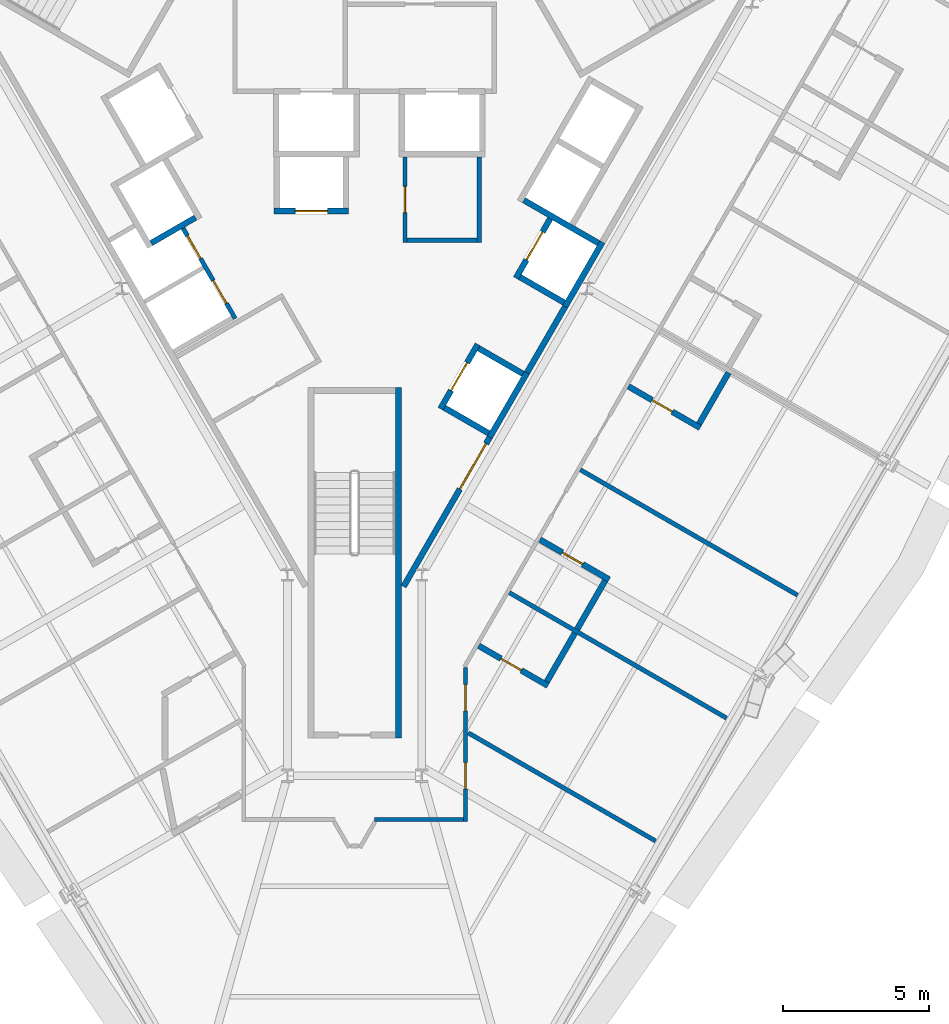
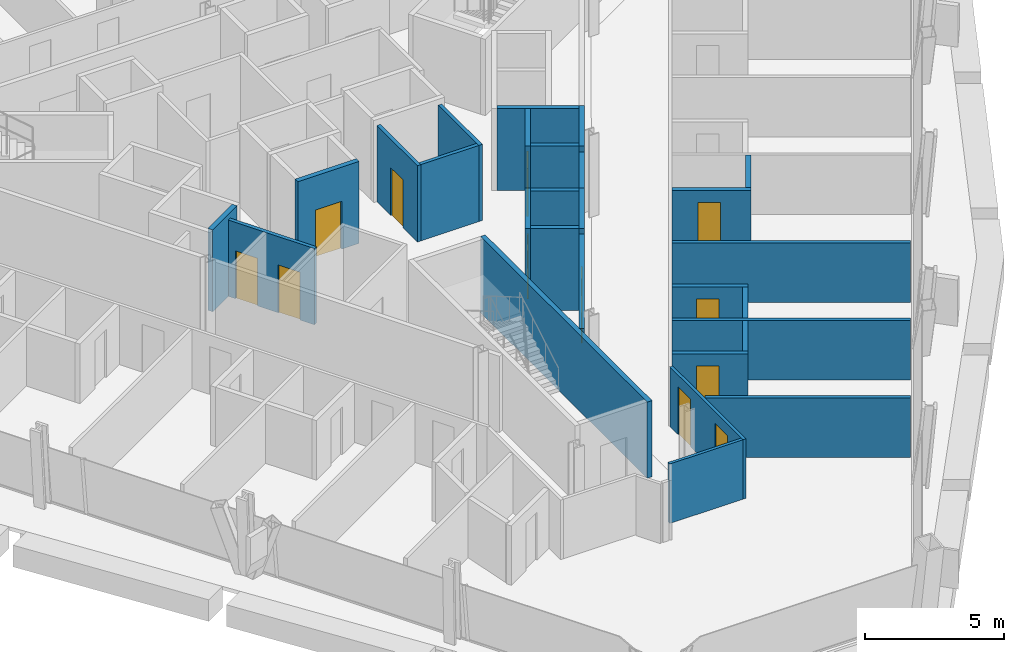
# One storey, part 11 of 17: 28 walls, 12 doors, 12 openings.
"""IFC4 building model written with IfcOpenShell, lengths in metres."""

from ifc_helpers import new_model, si_unit, direction, frame, frame_2d, origin, place, context, subcontext, project, spatial, rectangle, extrude, material, layer, layer_set, type_object, element, fill, save


model = new_model("IFC4")

# Units and contexts
model_context = context("Model", 3, precision=1e-05, world=origin(), true_north=direction((0.0, 1.0)))
body_context = subcontext(model_context, "Body", "Model", "MODEL_VIEW")
ifc_project = project(units=[si_unit("LENGTHUNIT", "METRE"), si_unit("AREAUNIT", "SQUARE_METRE"), si_unit("VOLUMEUNIT", "CUBIC_METRE"), si_unit("PLANEANGLEUNIT", "RADIAN"), si_unit("MASSUNIT", "GRAM", prefix="KILO")], contexts=[model_context])

# Site, building, storey
site_placement = place(None, origin())
site = spatial("IfcSite", under=ifc_project, at=site_placement, CompositionType="ELEMENT")
building_placement = place(site_placement, origin())
building = spatial("IfcBuilding", under=site, at=building_placement, Name="Verrane Prism Tower", CompositionType="ELEMENT")
storey_placement = place(building_placement, frame((0.0, 0.0, 62.0)))
storey = spatial("IfcBuildingStorey", under=building, at=storey_placement, Name="L13", CompositionType="ELEMENT", Elevation=62.0)

# Wall, opening, door
ifc_material_1 = material(Name="Gypsum board partition", Category="other")
ifc_layer_1 = layer(ifc_material_1, 0.199951171875)
ifc_layer_set_1 = layer_set([ifc_layer_1], Name="CW-200 core boundary wall 2 h")
wall_type_1 = type_object("IfcWallType", Name="CW-200 core boundary wall 2 h", PredefinedType="PARTITIONING", material=ifc_layer_set_1)
wall_1_placement = place(storey_placement, frame((1.677490234375, -14.814697265625, 0.0), z_axis=(0.0, 0.0, 1.0), x_axis=(0.49999445743, 0.866028603765, 0.0)))
wall_1 = element("IfcWall", 1, at=wall_1_placement, inside=storey, type_object=wall_type_1, Name="Core boundary wall CW3-003", PredefinedType="PARTITIONING", context=body_context, shape_type="SweptSolid", body=[
    extrude(rectangle(XDim=5.90478515625, YDim=0.199951171875, at=frame_2d((2.952392578125, 0.0))), origin(), (0.0, 0.0, 1.0), 3.35009765625),
])
opening_1_placement = place(wall_1_placement, frame((3.85498046875, 0.0, 0.0)))
opening_1 = element("IfcOpeningElement", 2, at=opening_1_placement, cuts=wall_1, Name="Opening D12517", PredefinedType="OPENING", context=body_context, shape_type="SweptSolid", body=[
    extrude(rectangle(XDim=1.800048828125, YDim=2.10009765625, at=frame_2d((0.89990234375, 1.050048828125))), frame((0.0, 0.10986328125, 0.0), z_axis=(0.0, -1.0, 0.0), x_axis=(1.0, 0.0, 0.0)), (0.0, 0.0, 1.0), 0.219970703125),
])
ifc_material_2 = material(Name="Timber veneered door leaf", Category="wood")
door_type_1 = type_object("IfcDoorType", Name="DR-1800x2100 FD60 double leaf lift lobby", OperationType="NOTDEFINED", PredefinedType="DOOR", material=ifc_material_2)
door_1_placement = place(opening_1_placement, origin())
door_1 = element("IfcDoor", 3, at=door_1_placement, inside=storey, type_object=door_type_1, Name="Lift lobby door D12517", OperationType="DOUBLE_DOOR_SINGLE_SWING", OverallHeight=2.10009765625, OverallWidth=1.800048828125, PredefinedType="DOOR", context=body_context, shape_type="SweptSolid", body=[
    extrude(rectangle(XDim=1.800048828125, YDim=2.10009765625, at=frame_2d((0.89990234375, 1.050048828125))), frame((0.0, 0.02490234375, 0.0), z_axis=(0.0, -1.0, 0.0), x_axis=(1.0, 0.0, 0.0)), (0.0, 0.0, 1.0), 0.050048828125),
])
fill(opening_1, door_1)

# Walls
wall_2_placement = place(storey_placement, frame((5.906005859375, -7.489990234375, 0.0), z_axis=(0.0, 0.0, 1.0), x_axis=(0.500252727967, 0.865879442048, 0.0)))
element("IfcWall", 4, at=wall_2_placement, inside=storey, type_object=wall_type_1, Name="Core boundary wall CW3-005", PredefinedType="PARTITIONING", context=body_context, shape_type="SweptSolid", body=[
    extrude(rectangle(XDim=2.616943359375, YDim=0.199951171875, at=frame_2d((1.30859375, 0.0))), origin(), (0.0, 0.0, 1.0), 3.35009765625),
])
ifc_material_3 = material(Name="Concrete C40/50", Category="concrete")
ifc_layer_2 = layer(ifc_material_3, 0.199951171875)
ifc_layer_set_2 = layer_set([ifc_layer_2], Name="CW-200 stair core wall concrete C40/50 3 h")
wall_type_2 = type_object("IfcWallType", Name="CW-200 stair core wall concrete C40/50 3 h", PredefinedType="PARTITIONING", material=ifc_layer_set_2)
wall_3_placement = place(storey_placement, frame((1.5, -8.0, 0.0), z_axis=(0.0, 0.0, 1.0), x_axis=(0.0, -1.0, 0.0)))
element("IfcWall", 5, at=wall_3_placement, inside=storey, type_object=wall_type_2, Name="Stair 3 enclosure wall", PredefinedType="PARTITIONING", context=body_context, shape_type="SweptSolid", body=[
    extrude(rectangle(XDim=12.0, YDim=0.199951171875, at=frame_2d((6.0, 0.0))), origin(), (0.0, 0.0, 1.0), 3.35009765625),
])

# Wall, opening, door
ifc_material_4 = material(Name="Gypsum board shaft wall assembly", Category="other")
ifc_layer_3 = layer(ifc_material_4, 0.199951171875)
ifc_layer_set_3 = layer_set([ifc_layer_3], Name="HW-200 lift shaft wall 2 h")
wall_type_3 = type_object("IfcWallType", Name="HW-200 lift shaft wall 2 h", PredefinedType="PARTITIONING", material=ifc_layer_set_3)
wall_4_placement = place(storey_placement, frame((-2.7548828125, -1.949951171875, 0.0), z_axis=(0.0, 0.0, 1.0), x_axis=(1.0, 0.0, 0.0)))
wall_4 = element("IfcWall", 6, at=wall_4_placement, inside=storey, type_object=wall_type_3, Name="Lift shaft wall", PredefinedType="PARTITIONING", context=body_context, shape_type="SweptSolid", body=[
    extrude(rectangle(XDim=2.5498046875, YDim=0.199951171875, at=frame_2d((1.27490234375, 0.0))), origin(), (0.0, 0.0, 1.0), 3.60009765625),
])
opening_2_placement = place(wall_4_placement, frame((0.72509765625, 0.0, 0.0)))
opening_2 = element("IfcOpeningElement", 7, at=opening_2_placement, cuts=wall_4, Name="Opening D12504", PredefinedType="OPENING", context=body_context, shape_type="SweptSolid", body=[
    extrude(rectangle(XDim=1.10009765625, YDim=2.10009765625, at=frame_2d((0.550048828125, 1.050048828125))), frame((0.0, 0.10986328125, 0.0), z_axis=(0.0, -1.0, 0.0), x_axis=(1.0, 0.0, 0.0)), (0.0, 0.0, 1.0), 0.219970703125),
])
ifc_material_5 = material(Name="Stainless steel sliding landing door", Category="steel")
door_type_2 = type_object("IfcDoorType", Name="LD-1100x2100 lift landing door FD90 sliding", OperationType="NOTDEFINED", PredefinedType="DOOR", material=ifc_material_5)
door_2_placement = place(opening_2_placement, origin())
door_2 = element("IfcDoor", 8, at=door_2_placement, inside=storey, type_object=door_type_2, Name="Bank A lift 2 landing door", OperationType="SLIDING_TO_RIGHT", OverallHeight=2.10009765625, OverallWidth=1.10009765625, PredefinedType="DOOR", context=body_context, shape_type="SweptSolid", body=[
    extrude(rectangle(XDim=1.10009765625, YDim=2.10009765625, at=frame_2d((0.550048828125, 1.050048828125))), frame((0.0, 0.02490234375, 0.0), z_axis=(0.0, -1.0, 0.0), x_axis=(1.0, 0.0, 0.0)), (0.0, 0.0, 1.0), 0.050048828125),
])
fill(opening_2, door_2)

# Walls
wall_5_placement = place(storey_placement, frame((-6.9697265625, -3.048095703125, 0.0), z_axis=(0.0, 0.0, 1.0), x_axis=(0.866036909293, 0.499980071345, 0.0)))
element("IfcWall", 9, at=wall_5_placement, inside=storey, type_object=wall_type_3, Name="Lift shaft wall", PredefinedType="PARTITIONING", context=body_context, shape_type="SweptSolid", body=[
    extrude(rectangle(XDim=1.75, YDim=0.199951171875, at=frame_2d((0.875, 0.0))), origin(), (0.0, 0.0, 1.0), 3.60009765625),
])
wall_6_placement = place(storey_placement, frame((4.63037109375, -9.69970703125, 0.0), z_axis=(0.0, 0.0, 1.0), x_axis=(0.500062241894, 0.865989465428, 0.0)))
element("IfcWall", 10, at=wall_6_placement, inside=storey, type_object=wall_type_3, Name="Lift shaft wall", PredefinedType="PARTITIONING", context=body_context, shape_type="SweptSolid", body=[
    extrude(rectangle(XDim=2.550048828125, YDim=0.199951171875, at=frame_2d((1.27490234375, 0.0))), origin(), (0.0, 0.0, 1.0), 3.60009765625),
])
wall_7_placement = place(storey_placement, frame((7.215576171875, -5.222412109375, 0.0), z_axis=(0.0, 0.0, 1.0), x_axis=(0.499990435942, 0.866030925526, 0.0)))
element("IfcWall", 11, at=wall_7_placement, inside=storey, type_object=wall_type_3, Name="Lift shaft wall", PredefinedType="PARTITIONING", context=body_context, shape_type="SweptSolid", body=[
    extrude(rectangle(XDim=2.5498046875, YDim=0.199951171875, at=frame_2d((1.27490234375, 0.0))), origin(), (0.0, 0.0, 1.0), 3.60009765625),
])

# Wall, opening, door
wall_8_placement = place(storey_placement, frame((2.941650390625, -8.724853515625, 0.0), z_axis=(0.0, 0.0, 1.0), x_axis=(0.500020783669, 0.866013403995, 0.0)))
wall_8 = element("IfcWall", 12, at=wall_8_placement, inside=storey, type_object=wall_type_3, Name="Lift shaft wall", PredefinedType="PARTITIONING", context=body_context, shape_type="SweptSolid", body=[
    extrude(rectangle(XDim=2.55029296875, YDim=0.199951171875, at=frame_2d((1.275146484375, 0.0))), origin(), (0.0, 0.0, 1.0), 3.60009765625),
])
opening_3_placement = place(wall_8_placement, frame((0.72509765625, 0.0, 0.0)))
opening_3 = element("IfcOpeningElement", 13, at=opening_3_placement, cuts=wall_8, Name="Opening D12506", PredefinedType="OPENING", context=body_context, shape_type="SweptSolid", body=[
    extrude(rectangle(XDim=1.10009765625, YDim=2.10009765625, at=frame_2d((0.550048828125, 1.050048828125))), frame((0.0, 0.10986328125, 0.0), z_axis=(0.0, -1.0, 0.0), x_axis=(1.0, 0.0, 0.0)), (0.0, 0.0, 1.0), 0.219970703125),
])
door_3_placement = place(opening_3_placement, origin())
door_3 = element("IfcDoor", 14, at=door_3_placement, inside=storey, type_object=door_type_2, Name="Bank A lift 4 landing door", OperationType="SLIDING_TO_RIGHT", OverallHeight=2.10009765625, OverallWidth=1.10009765625, PredefinedType="DOOR", context=body_context, shape_type="SweptSolid", body=[
    extrude(rectangle(XDim=1.10009765625, YDim=2.10009765625, at=frame_2d((0.550048828125, 1.050048828125))), frame((0.0, 0.02490234375, 0.0), z_axis=(0.0, -1.0, 0.0), x_axis=(1.0, 0.0, 0.0)), (0.0, 0.0, 1.0), 0.050048828125),
])
fill(opening_3, door_3)

wall_9_placement = place(storey_placement, frame((5.52685546875, -4.247314453125, 0.0), z_axis=(0.0, 0.0, 1.0), x_axis=(0.499938297808, 0.866061024631, 0.0)))
wall_9 = element("IfcWall", 15, at=wall_9_placement, inside=storey, type_object=wall_type_3, Name="Lift shaft wall", PredefinedType="PARTITIONING", context=body_context, shape_type="SweptSolid", body=[
    extrude(rectangle(XDim=2.349853515625, YDim=0.199951171875, at=frame_2d((1.1748046875, 0.0))), origin(), (0.0, 0.0, 1.0), 3.60009765625),
])
opening_4_placement = place(wall_9_placement, frame((0.72509765625, 0.0, 0.0)))
opening_4 = element("IfcOpeningElement", 16, at=opening_4_placement, cuts=wall_9, Name="Opening D12507", PredefinedType="OPENING", context=body_context, shape_type="SweptSolid", body=[
    extrude(rectangle(XDim=1.10009765625, YDim=2.10009765625, at=frame_2d((0.550048828125, 1.050048828125))), frame((0.0, 0.10986328125, 0.0), z_axis=(0.0, -1.0, 0.0), x_axis=(1.0, 0.0, 0.0)), (0.0, 0.0, 1.0), 0.219970703125),
])
door_4_placement = place(opening_4_placement, origin())
door_4 = element("IfcDoor", 17, at=door_4_placement, inside=storey, type_object=door_type_2, Name="Bank A lift 5 landing door", OperationType="SLIDING_TO_LEFT", OverallHeight=2.10009765625, OverallWidth=1.10009765625, PredefinedType="DOOR", context=body_context, shape_type="SweptSolid", body=[
    extrude(rectangle(XDim=1.10009765625, YDim=2.10009765625, at=frame_2d((0.550048828125, 1.050048828125))), frame((0.0, 0.02490234375, 0.0), z_axis=(0.0, -1.0, 0.0), x_axis=(1.0, 0.0, 0.0)), (0.0, 0.0, 1.0), 0.050048828125),
])
fill(opening_4, door_4)

# Walls
wall_10_placement = place(storey_placement, frame((8.35400390625, -3.050537109375, 0.0), z_axis=(0.0, 0.0, 1.0), x_axis=(-0.866060182126, 0.499939757307, 0.0)))
element("IfcWall", 18, at=wall_10_placement, inside=storey, type_object=wall_type_3, Name="Lift shaft wall", PredefinedType="PARTITIONING", context=body_context, shape_type="SweptSolid", body=[
    extrude(rectangle(XDim=2.949951171875, YDim=0.199951171875, at=frame_2d((1.47509765625, 0.0))), origin(), (0.0, 0.0, 1.0), 3.60009765625),
])
wall_11_placement = place(storey_placement, frame((7.178955078125, -5.085693359375, 0.0), z_axis=(0.0, 0.0, 1.0), x_axis=(-0.866036909293, 0.499980071345, 0.0)))
element("IfcWall", 19, at=wall_11_placement, inside=storey, type_object=wall_type_3, Name="Lift shaft wall", PredefinedType="PARTITIONING", context=body_context, shape_type="SweptSolid", body=[
    extrude(rectangle(XDim=1.75, YDim=0.199951171875, at=frame_2d((0.875, 0.0))), origin(), (0.0, 0.0, 1.0), 3.60009765625),
])
wall_12_placement = place(storey_placement, frame((5.768798828125, -7.528076171875, 0.0), z_axis=(0.0, 0.0, 1.0), x_axis=(-0.866002029911, 0.500040482552, 0.0)))
element("IfcWall", 20, at=wall_12_placement, inside=storey, type_object=wall_type_3, Name="Lift shaft wall", PredefinedType="PARTITIONING", context=body_context, shape_type="SweptSolid", body=[
    extrude(rectangle(XDim=1.749755859375, YDim=0.199951171875, at=frame_2d((0.875, 0.0))), origin(), (0.0, 0.0, 1.0), 3.60009765625),
])
wall_13_placement = place(storey_placement, frame((4.593994140625, -9.563232421875, 0.0), z_axis=(0.0, 0.0, 1.0), x_axis=(-0.866036909293, 0.499980071345, 0.0)))
element("IfcWall", 21, at=wall_13_placement, inside=storey, type_object=wall_type_3, Name="Lift shaft wall", PredefinedType="PARTITIONING", context=body_context, shape_type="SweptSolid", body=[
    extrude(rectangle(XDim=1.75, YDim=0.199951171875, at=frame_2d((0.875, 0.0))), origin(), (0.0, 0.0, 1.0), 3.60009765625),
])
ifc_material_6 = material(Name="Gypsum board partition", Category="other")
ifc_layer_4 = layer(ifc_material_6, 0.125)
ifc_layer_set_4 = layer_set([ifc_layer_4], Name="PW-125 corridor wall 1 h")
wall_type_4 = type_object("IfcWallType", Name="PW-125 corridor wall 1 h", PredefinedType="PARTITIONING", material=ifc_layer_set_4)
wall_14_placement = place(storey_placement, frame((0.679443359375, -22.797119140625, 0.0), z_axis=(0.0, 0.0, 1.0), x_axis=(1.0, 0.0, 0.0)))
element("IfcWall", 22, at=wall_14_placement, inside=storey, type_object=wall_type_4, Name="Corridor wall 048", PredefinedType="PARTITIONING", context=body_context, shape_type="SweptSolid", body=[
    extrude(rectangle(XDim=3.052490234375, YDim=0.125, at=frame_2d((1.5263671875, 0.0))), origin(), (0.0, 0.0, 1.0), 2.613037109375),
])

# Wall, openings, doors
wall_15_placement = place(storey_placement, frame((3.797119140625, -17.590087890625, 0.0), z_axis=(0.0, 0.0, 1.0), x_axis=(0.0, -1.0, 0.0)))
wall_15 = element("IfcWall", 23, at=wall_15_placement, inside=storey, type_object=wall_type_4, Name="Corridor wall 052", PredefinedType="PARTITIONING", context=body_context, shape_type="SweptSolid", body=[
    extrude(rectangle(XDim=5.26953125, YDim=0.125, at=frame_2d((2.634765625, 0.0))), origin(), (0.0, 0.0, 1.0), 2.613037109375),
])
opening_5_placement = place(wall_15_placement, frame((3.257080078125, 0.0, 0.0)))
opening_5 = element("IfcOpeningElement", 24, at=opening_5_placement, cuts=wall_15, Name="Opening D12028", PredefinedType="OPENING", context=body_context, shape_type="SweptSolid", body=[
    extrude(rectangle(XDim=0.89990234375, YDim=2.10009765625, at=frame_2d((0.449951171875, 1.050048828125))), frame((0.0, 0.072509765625, 0.0), z_axis=(0.0, -1.0, 0.0), x_axis=(1.0, 0.0, 0.0)), (0.0, 0.0, 1.0), 0.14501953125),
])
opening_6_placement = place(wall_15_placement, frame((0.5830078125, 0.0, 0.0)))
opening_6 = element("IfcOpeningElement", 25, at=opening_6_placement, cuts=wall_15, Name="Opening D12030", PredefinedType="OPENING", context=body_context, shape_type="SweptSolid", body=[
    extrude(rectangle(XDim=0.89990234375, YDim=2.10009765625, at=frame_2d((0.449951171875, 1.050048828125))), frame((0.0, 0.072509765625, 0.0), z_axis=(0.0, -1.0, 0.0), x_axis=(1.0, 0.0, 0.0)), (0.0, 0.0, 1.0), 0.14501953125),
])
ifc_material_7 = material(Name="Timber veneered door leaf", Category="wood")
door_type_3 = type_object("IfcDoorType", Name="DR-900x2100 FD20 single leaf unit", OperationType="NOTDEFINED", PredefinedType="DOOR", material=ifc_material_7)
door_5_placement = place(opening_5_placement, origin())
door_5 = element("IfcDoor", 26, at=door_5_placement, inside=storey, type_object=door_type_3, Name="Corner Suite door", OperationType="SINGLE_SWING_LEFT", OverallHeight=2.10009765625, OverallWidth=0.89990234375, PredefinedType="DOOR", context=body_context, shape_type="SweptSolid", body=[
    extrude(rectangle(XDim=0.89990234375, YDim=2.10009765625, at=frame_2d((0.449951171875, 1.050048828125))), frame((0.0, 0.02490234375, 0.0), z_axis=(0.0, -1.0, 0.0), x_axis=(1.0, 0.0, 0.0)), (0.0, 0.0, 1.0), 0.050048828125),
])
fill(opening_5, door_5)
door_6_placement = place(opening_6_placement, origin())
door_6 = element("IfcDoor", 27, at=door_6_placement, inside=storey, type_object=door_type_3, Name="Guest Room door", OperationType="SINGLE_SWING_LEFT", OverallHeight=2.10009765625, OverallWidth=0.89990234375, PredefinedType="DOOR", context=body_context, shape_type="SweptSolid", body=[
    extrude(rectangle(XDim=0.89990234375, YDim=2.10009765625, at=frame_2d((0.449951171875, 1.050048828125))), frame((0.0, 0.02490234375, 0.0), z_axis=(0.0, -1.0, 0.0), x_axis=(1.0, 0.0, 0.0)), (0.0, 0.0, 1.0), 0.050048828125),
])
fill(opening_6, door_6)

# Walls
ifc_material_8 = material(Name="Gypsum board partition", Category="other")
ifc_layer_5 = layer(ifc_material_8, 0.14990234375)
ifc_layer_set_5 = layer_set([ifc_layer_5], Name="PW-150 demising wall 1 h")
wall_type_5 = type_object("IfcWallType", Name="PW-150 demising wall 1 h", PredefinedType="PARTITIONING", material=ifc_layer_set_5)
wall_16_placement = place(storey_placement, frame((3.89697265625, -19.830810546875, 0.0), z_axis=(0.0, 0.0, 1.0), x_axis=(0.866035143087, -0.499983130654, 0.0)))
element("IfcWall", 28, at=wall_16_placement, inside=storey, type_object=wall_type_5, Name="Demising wall 053", PredefinedType="PARTITIONING", context=body_context, shape_type="SweptSolid", body=[
    extrude(rectangle(XDim=7.404541015625, YDim=0.14990234375, at=frame_2d((3.7021484375, 0.0))), origin(), (0.0, 0.0, 1.0), 2.613037109375),
])
wall_17_placement = place(storey_placement, frame((5.301025390625, -15.025146484375, 0.0), z_axis=(0.0, 0.0, 1.0), x_axis=(0.866029425019, -0.499993034952, 0.0)))
element("IfcWall", 29, at=wall_17_placement, inside=storey, type_object=wall_type_5, Name="Demising wall 056", PredefinedType="PARTITIONING", context=body_context, shape_type="SweptSolid", body=[
    extrude(rectangle(XDim=8.59130859375, YDim=0.14990234375, at=frame_2d((4.295654296875, 0.0))), origin(), (0.0, 0.0, 1.0), 2.613037109375),
])
wall_18_placement = place(storey_placement, frame((7.733154296875, -10.813232421875, 0.0), z_axis=(0.0, 0.0, 1.0), x_axis=(0.866002910178, -0.500038958046, 0.0)))
element("IfcWall", 30, at=wall_18_placement, inside=storey, type_object=wall_type_5, Name="Demising wall 061", PredefinedType="PARTITIONING", context=body_context, shape_type="SweptSolid", body=[
    extrude(rectangle(XDim=8.591064453125, YDim=0.14990234375, at=frame_2d((4.29541015625, 0.0))), origin(), (0.0, 0.0, 1.0), 2.613037109375),
])

# Wall, opening, door
ifc_material_9 = material(Name="Gypsum board partition", Category="other")
ifc_layer_6 = layer(ifc_material_9, 0.199951171875)
ifc_layer_set_6 = layer_set([ifc_layer_6], Name="PW-200 plumbing wall")
wall_type_6 = type_object("IfcWallType", Name="PW-200 plumbing wall", PredefinedType="PARTITIONING", material=ifc_layer_set_6)
wall_19_placement = place(storey_placement, frame((4.251220703125, -16.84423828125, 0.0), z_axis=(0.0, 0.0, 1.0), x_axis=(0.866005850709, -0.50003386539, 0.0)))
wall_19 = element("IfcWall", 31, at=wall_19_placement, inside=storey, type_object=wall_type_6, Name="Plumbing wall 055", PredefinedType="PARTITIONING", context=body_context, shape_type="SweptSolid", body=[
    extrude(rectangle(XDim=2.737060546875, YDim=0.199951171875, at=frame_2d((1.36865234375, 0.0))), origin(), (0.0, 0.0, 1.0), 2.613037109375),
])
opening_7_placement = place(wall_19_placement, frame((0.887451171875, 0.0, 0.0)))
opening_7 = element("IfcOpeningElement", 32, at=opening_7_placement, cuts=wall_19, Name="Opening D12031", PredefinedType="OPENING", context=body_context, shape_type="SweptSolid", body=[
    extrude(rectangle(XDim=0.800048828125, YDim=2.10009765625, at=frame_2d((0.39990234375, 1.050048828125))), frame((0.0, 0.10986328125, 0.0), z_axis=(0.0, -1.0, 0.0), x_axis=(1.0, 0.0, 0.0)), (0.0, 0.0, 1.0), 0.219970703125),
])
ifc_material_10 = material(Name="Timber veneered door leaf", Category="wood")
door_type_4 = type_object("IfcDoorType", Name="DR-800x2100 single leaf bath", OperationType="NOTDEFINED", PredefinedType="DOOR", material=ifc_material_10)
door_7_placement = place(opening_7_placement, origin())
door_7 = element("IfcDoor", 33, at=door_7_placement, inside=storey, type_object=door_type_4, Name="En-Suite door", OperationType="SINGLE_SWING_LEFT", OverallHeight=2.10009765625, OverallWidth=0.800048828125, PredefinedType="DOOR", context=body_context, shape_type="SweptSolid", body=[
    extrude(rectangle(XDim=0.800048828125, YDim=2.10009765625, at=frame_2d((0.39990234375, 1.050048828125))), frame((0.0, 0.02490234375, 0.0), z_axis=(0.0, -1.0, 0.0), x_axis=(1.0, 0.0, 0.0)), (0.0, 0.0, 1.0), 0.050048828125),
])
fill(opening_7, door_7)

wall_20_placement = place(storey_placement, frame((8.7216796875, -14.574951171875, 0.0), z_axis=(0.0, 0.0, 1.0), x_axis=(-0.866028150195, 0.499995243048, 0.0)))
wall_20 = element("IfcWall", 34, at=wall_20_placement, inside=storey, type_object=wall_type_6, Name="Plumbing wall 058", PredefinedType="PARTITIONING", context=body_context, shape_type="SweptSolid", body=[
    extrude(rectangle(XDim=2.7373046875, YDim=0.199951171875, at=frame_2d((1.36865234375, 0.0))), origin(), (0.0, 0.0, 1.0), 2.613037109375),
])
opening_8_placement = place(wall_20_placement, frame((1.0498046875, 0.0, 0.0)))
opening_8 = element("IfcOpeningElement", 35, at=opening_8_placement, cuts=wall_20, Name="Opening D12033", PredefinedType="OPENING", context=body_context, shape_type="SweptSolid", body=[
    extrude(rectangle(XDim=0.800048828125, YDim=2.10009765625, at=frame_2d((0.39990234375, 1.050048828125))), frame((0.0, 0.10986328125, 0.0), z_axis=(0.0, -1.0, 0.0), x_axis=(1.0, 0.0, 0.0)), (0.0, 0.0, 1.0), 0.219970703125),
])
door_8_placement = place(opening_8_placement, origin())
door_8 = element("IfcDoor", 36, at=door_8_placement, inside=storey, type_object=door_type_4, Name="En-Suite door", OperationType="SINGLE_SWING_RIGHT", OverallHeight=2.10009765625, OverallWidth=0.800048828125, PredefinedType="DOOR", context=body_context, shape_type="SweptSolid", body=[
    extrude(rectangle(XDim=0.800048828125, YDim=2.10009765625, at=frame_2d((0.39990234375, 1.050048828125))), frame((0.0, 0.02490234375, 0.0), z_axis=(0.0, -1.0, 0.0), x_axis=(1.0, 0.0, 0.0)), (0.0, 0.0, 1.0), 0.050048828125),
])
fill(opening_8, door_8)

# Walls
wall_21_placement = place(storey_placement, frame((6.5849609375, -18.076416015625, 0.0), z_axis=(0.0, 0.0, 1.0), x_axis=(0.499993829411, 0.866028966346, 0.0)))
element("IfcWall", 37, at=wall_21_placement, inside=storey, type_object=wall_type_6, Name="Plumbing wall 059", PredefinedType="PARTITIONING", context=body_context, shape_type="SweptSolid", body=[
    extrude(rectangle(XDim=1.9208984375, YDim=0.199951171875, at=frame_2d((0.96044921875, 0.0))), origin(), (0.0, 0.0, 1.0), 2.613037109375),
])
wall_22_placement = place(storey_placement, frame((7.62548828125, -16.27490234375, 0.0), z_axis=(0.0, 0.0, 1.0), x_axis=(0.499667418833, 0.866217334482, 0.0)))
element("IfcWall", 38, at=wall_22_placement, inside=storey, type_object=wall_type_6, Name="Plumbing wall 060", PredefinedType="PARTITIONING", context=body_context, shape_type="SweptSolid", body=[
    extrude(rectangle(XDim=1.920166015625, YDim=0.199951171875, at=frame_2d((0.9599609375, 0.0))), origin(), (0.0, 0.0, 1.0), 2.613037109375),
])

# Wall, opening, door
wall_23_placement = place(storey_placement, frame((9.382080078125, -7.957275390625, 0.0), z_axis=(0.0, 0.0, 1.0), x_axis=(0.866048046904, -0.499960778915, 0.0)))
wall_23 = element("IfcWall", 39, at=wall_23_placement, inside=storey, type_object=wall_type_6, Name="Plumbing wall 064", PredefinedType="PARTITIONING", context=body_context, shape_type="SweptSolid", body=[
    extrude(rectangle(XDim=2.837646484375, YDim=0.199951171875, at=frame_2d((1.4189453125, 0.0))), origin(), (0.0, 0.0, 1.0), 2.613037109375),
])
opening_9_placement = place(wall_23_placement, frame((0.9375, 0.0, 0.0)))
opening_9 = element("IfcOpeningElement", 40, at=opening_9_placement, cuts=wall_23, Name="Opening D12035", PredefinedType="OPENING", context=body_context, shape_type="SweptSolid", body=[
    extrude(rectangle(XDim=0.800048828125, YDim=2.10009765625, at=frame_2d((0.39990234375, 1.050048828125))), frame((0.0, 0.10986328125, 0.0), z_axis=(0.0, -1.0, 0.0), x_axis=(1.0, 0.0, 0.0)), (0.0, 0.0, 1.0), 0.219970703125),
])
door_9_placement = place(opening_9_placement, origin())
door_9 = element("IfcDoor", 41, at=door_9_placement, inside=storey, type_object=door_type_4, Name="En-Suite door", OperationType="SINGLE_SWING_LEFT", OverallHeight=2.10009765625, OverallWidth=0.800048828125, PredefinedType="DOOR", context=body_context, shape_type="SweptSolid", body=[
    extrude(rectangle(XDim=0.800048828125, YDim=2.10009765625, at=frame_2d((0.39990234375, 1.050048828125))), frame((0.0, 0.02490234375, 0.0), z_axis=(0.0, -1.0, 0.0), x_axis=(1.0, 0.0, 0.0)), (0.0, 0.0, 1.0), 0.050048828125),
])
fill(opening_9, door_9)

# Wall
wall_24_placement = place(storey_placement, frame((11.802978515625, -9.239501953125, 0.0), z_axis=(0.0, 0.0, 1.0), x_axis=(0.499816582577, 0.866131273989, 0.0)))
element("IfcWall", 42, at=wall_24_placement, inside=storey, type_object=wall_type_6, Name="Plumbing wall 069", PredefinedType="PARTITIONING", context=body_context, shape_type="SweptSolid", body=[
    extrude(rectangle(XDim=2.020751953125, YDim=0.199951171875, at=frame_2d((1.01025390625, 0.0))), origin(), (0.0, 0.0, 1.0), 2.613037109375),
])

# Wall, openings, doors
ifc_material_11 = material(Name="Gypsum board partition", Category="other")
ifc_layer_7 = layer(ifc_material_11, 0.14990234375)
ifc_layer_set_7 = layer_set([ifc_layer_7], Name="RS-150 riser enclosure wall 1 h")
wall_type_7 = type_object("IfcWallType", Name="RS-150 riser enclosure wall 1 h", PredefinedType="PARTITIONING", material=ifc_layer_set_7)
wall_25_placement = place(storey_placement, frame((-4.090576171875, -5.635009765625, 0.0), z_axis=(0.0, 0.0, 1.0), x_axis=(-0.499948934428, 0.866054884499, 0.0)))
wall_25 = element("IfcWall", 43, at=wall_25_placement, inside=storey, type_object=wall_type_7, Name="Riser wall RS3-005", PredefinedType="PARTITIONING", context=body_context, shape_type="SweptSolid", body=[
    extrude(rectangle(XDim=3.576904296875, YDim=0.14990234375, at=frame_2d((1.78857421875, 0.0))), origin(), (0.0, 0.0, 1.0), 3.35009765625),
])
opening_10_placement = place(wall_25_placement, frame((2.377197265625, 0.0, 0.0)))
opening_10 = element("IfcOpeningElement", 44, at=opening_10_placement, cuts=wall_25, Name="Opening D12512", PredefinedType="OPENING", context=body_context, shape_type="SweptSolid", body=[
    extrude(rectangle(XDim=0.89990234375, YDim=2.10009765625, at=frame_2d((0.449951171875, 1.050048828125))), frame((0.0, 0.0849609375, 0.0), z_axis=(0.0, -1.0, 0.0), x_axis=(1.0, 0.0, 0.0)), (0.0, 0.0, 1.0), 0.169921875),
])
opening_11_placement = place(wall_25_placement, frame((0.605224609375, 0.0, 0.0)))
opening_11 = element("IfcOpeningElement", 45, at=opening_11_placement, cuts=wall_25, Name="Opening D12513", PredefinedType="OPENING", context=body_context, shape_type="SweptSolid", body=[
    extrude(rectangle(XDim=0.89990234375, YDim=2.10009765625, at=frame_2d((0.449951171875, 1.050048828125))), frame((0.0, 0.0849609375, 0.0), z_axis=(0.0, -1.0, 0.0), x_axis=(1.0, 0.0, 0.0)), (0.0, 0.0, 1.0), 0.169921875),
])
ifc_material_12 = material(Name="Timber veneered door leaf", Category="wood")
door_type_5 = type_object("IfcDoorType", Name="DR-900x2100 FD60 single leaf riser", OperationType="NOTDEFINED", PredefinedType="DOOR", material=ifc_material_12)
door_10_placement = place(opening_10_placement, origin())
door_10 = element("IfcDoor", 46, at=door_10_placement, inside=storey, type_object=door_type_5, Name="Riser door D12512", OperationType="SINGLE_SWING_RIGHT", OverallHeight=2.10009765625, OverallWidth=0.89990234375, PredefinedType="DOOR", context=body_context, shape_type="SweptSolid", body=[
    extrude(rectangle(XDim=0.89990234375, YDim=2.10009765625, at=frame_2d((0.449951171875, 1.050048828125))), frame((0.0, 0.02490234375, 0.0), z_axis=(0.0, -1.0, 0.0), x_axis=(1.0, 0.0, 0.0)), (0.0, 0.0, 1.0), 0.050048828125),
])
fill(opening_10, door_10)
door_11_placement = place(opening_11_placement, origin())
door_11 = element("IfcDoor", 47, at=door_11_placement, inside=storey, type_object=door_type_5, Name="Riser door D12513", OperationType="SINGLE_SWING_LEFT", OverallHeight=2.10009765625, OverallWidth=0.89990234375, PredefinedType="DOOR", context=body_context, shape_type="SweptSolid", body=[
    extrude(rectangle(XDim=0.89990234375, YDim=2.10009765625, at=frame_2d((0.449951171875, 1.050048828125))), frame((0.0, 0.02490234375, 0.0), z_axis=(0.0, -1.0, 0.0), x_axis=(1.0, 0.0, 0.0)), (0.0, 0.0, 1.0), 0.050048828125),
])
fill(opening_11, door_11)

# Wall, opening, door
wall_26_placement = place(storey_placement, frame((1.72509765625, -0.10205078125, 0.0), z_axis=(0.0, 0.0, 1.0), x_axis=(0.0, -1.0, 0.0)))
wall_26 = element("IfcWall", 48, at=wall_26_placement, inside=storey, type_object=wall_type_7, Name="Riser wall RS3-008", PredefinedType="PARTITIONING", context=body_context, shape_type="SweptSolid", body=[
    extrude(rectangle(XDim=2.9228515625, YDim=0.14990234375, at=frame_2d((1.46142578125, 0.0))), origin(), (0.0, 0.0, 1.0), 3.35009765625),
])
opening_12_placement = place(wall_26_placement, frame((0.998046875, 0.0, 0.0)))
opening_12 = element("IfcOpeningElement", 49, at=opening_12_placement, cuts=wall_26, Name="Opening D12518", PredefinedType="OPENING", context=body_context, shape_type="SweptSolid", body=[
    extrude(rectangle(XDim=0.89990234375, YDim=2.10009765625, at=frame_2d((0.449951171875, 1.050048828125))), frame((0.0, 0.0849609375, 0.0), z_axis=(0.0, -1.0, 0.0), x_axis=(1.0, 0.0, 0.0)), (0.0, 0.0, 1.0), 0.169921875),
])
ifc_material_13 = material(Name="Timber veneered door leaf", Category="wood")
door_type_6 = type_object("IfcDoorType", Name="DR-900x2100 FD20 single leaf store", OperationType="NOTDEFINED", PredefinedType="DOOR", material=ifc_material_13)
door_12_placement = place(opening_12_placement, origin())
door_12 = element("IfcDoor", 50, at=door_12_placement, inside=storey, type_object=door_type_6, Name="Room door D12518", OperationType="SINGLE_SWING_LEFT", OverallHeight=2.10009765625, OverallWidth=0.89990234375, PredefinedType="DOOR", context=body_context, shape_type="SweptSolid", body=[
    extrude(rectangle(XDim=0.89990234375, YDim=2.10009765625, at=frame_2d((0.449951171875, 1.050048828125))), frame((0.0, 0.02490234375, 0.0), z_axis=(0.0, -1.0, 0.0), x_axis=(1.0, 0.0, 0.0)), (0.0, 0.0, 1.0), 0.050048828125),
])
fill(opening_12, door_12)

# Walls
wall_27_placement = place(storey_placement, frame((1.800048828125, -2.949951171875, 0.0), z_axis=(0.0, 0.0, 1.0), x_axis=(1.0, 0.0, 0.0)))
element("IfcWall", 51, at=wall_27_placement, inside=storey, type_object=wall_type_7, Name="Riser wall RS3-009", PredefinedType="PARTITIONING", context=body_context, shape_type="SweptSolid", body=[
    extrude(rectangle(XDim=2.39990234375, YDim=0.14990234375, at=frame_2d((1.199951171875, 0.0))), origin(), (0.0, 0.0, 1.0), 3.35009765625),
])
wall_28_placement = place(storey_placement, frame((4.27490234375, -3.02490234375, 0.0), z_axis=(0.0, 0.0, 1.0), x_axis=(0.0, 1.0, 0.0)))
element("IfcWall", 52, at=wall_28_placement, inside=storey, type_object=wall_type_7, Name="Riser wall RS3-010", PredefinedType="PARTITIONING", context=body_context, shape_type="SweptSolid", body=[
    extrude(rectangle(XDim=2.9228515625, YDim=0.14990234375, at=frame_2d((1.46142578125, 0.0))), origin(), (0.0, 0.0, 1.0), 3.35009765625),
])

save(model, "model.ifc")
